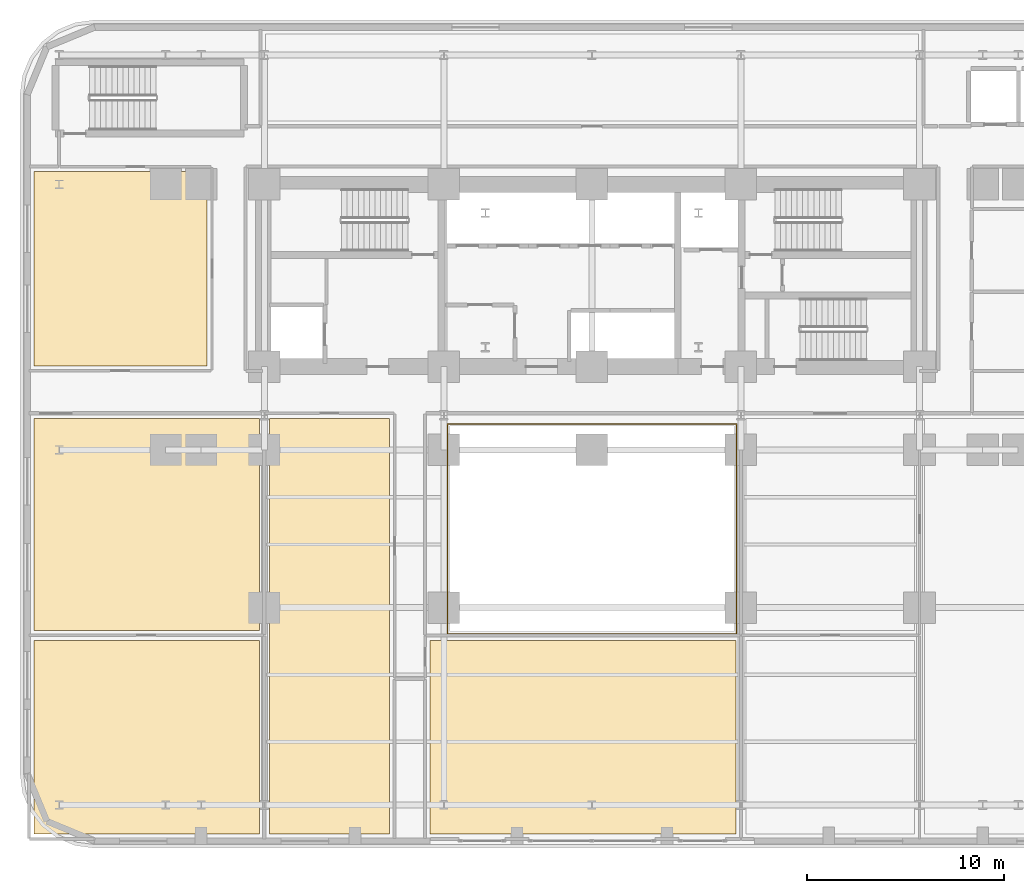
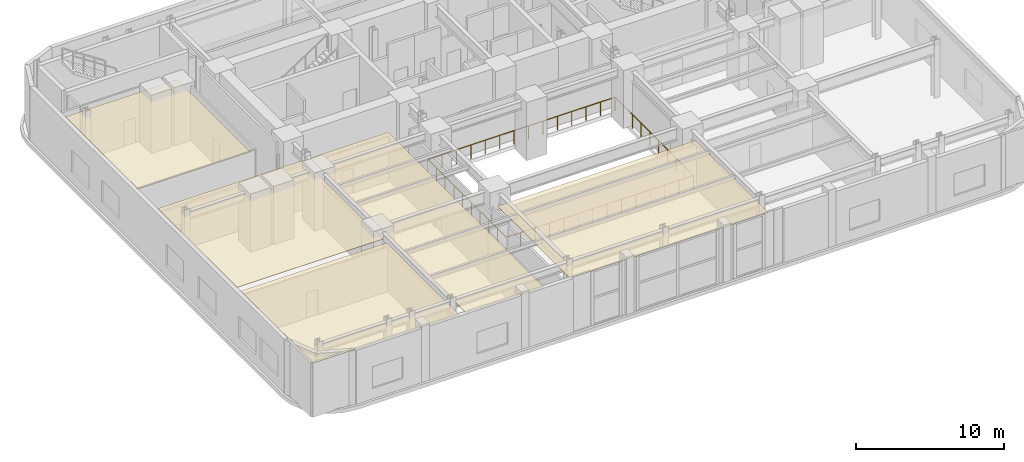
# One storey, part 10 of 16: 5 coverings, 1 railing.
"""IFC4 building model written with IfcOpenShell, lengths in metres."""

from ifc_helpers import new_model, si_unit, direction, frame, origin, origin_2d, place, context, subcontext, project, spatial, polyline, rectangle, outline, extrude, material, layer, layer_set, type_object, element, save


model = new_model("IFC4")

# Units and contexts
model_context = context("Model", 3, precision=1e-05, world=origin(), true_north=direction((0.0, 1.0)))
body_context = subcontext(model_context, "Body", "Model", "MODEL_VIEW")
ifc_project = project(units=[si_unit("LENGTHUNIT", "METRE"), si_unit("AREAUNIT", "SQUARE_METRE"), si_unit("VOLUMEUNIT", "CUBIC_METRE"), si_unit("PLANEANGLEUNIT", "RADIAN"), si_unit("MASSUNIT", "GRAM", prefix="KILO")], contexts=[model_context])

# Site, building, storey
site_placement = place(None, origin())
site = spatial("IfcSite", under=ifc_project, at=site_placement, CompositionType="ELEMENT")
building_placement = place(site_placement, origin())
building = spatial("IfcBuilding", under=site, at=building_placement, Name="Zarnavel Station Tower", CompositionType="ELEMENT")
storey_placement = place(building_placement, frame((0.0, 0.0, 19.39990234375)))
storey = spatial("IfcBuildingStorey", under=building, at=storey_placement, Name="L05", CompositionType="ELEMENT", Elevation=19.39990234375)

# Coverings
ifc_material_1 = material(Name="Perforated Gypsum and Mineral-Wool Acoustic Ceiling", Category="concrete")
ifc_layer = layer(ifc_material_1, 0.0400390625)
ifc_layer_set = layer_set([ifc_layer], Name="COV_CEIL_ACOUSTIC")
covering_type = type_object("IfcCoveringType", Name="COV_CEIL_ACOUSTIC", PredefinedType="CEILING", material=ifc_layer_set)
covering_1_placement = place(storey_placement, frame((0.0, 0.0, 4.18017578125)))
element("IfcCovering", 1, at=covering_1_placement, inside=storey, type_object=covering_type, Name="L05 PNW Acoustic Ceiling", PredefinedType="CEILING", context=body_context, shape_type="SweptSolid", body=[
    extrude(outline(polyline([(0.530029296875, 27.85009765625), (9.300048828125, 27.85009765625), (9.300048828125, 37.699951171875), (0.530029296875, 37.699951171875), (0.530029296875, 27.85009765625)])), origin(), (0.0, 0.0, 1.0), 0.0400390625),
])
covering_2_placement = place(storey_placement, frame((0.0, 0.0, 4.18017578125)))
element("IfcCovering", 2, at=covering_2_placement, inside=storey, type_object=covering_type, Name="L05 BALLV Acoustic Ceiling", PredefinedType="CEILING", context=body_context, shape_type="SweptSolid", body=[
    extrude(outline(polyline([(0.530029296875, 4.1298828125), (11.949951171875, 4.1298828125), (11.949951171875, 13.949951171875), (0.530029296875, 13.949951171875), (0.530029296875, 4.1298828125)])), origin(), (0.0, 0.0, 1.0), 0.0400390625),
])
covering_3_placement = place(storey_placement, frame((0.0, 0.0, 4.18017578125)))
element("IfcCovering", 3, at=covering_3_placement, inside=storey, type_object=covering_type, Name="L05 BALLF Acoustic Ceiling", PredefinedType="CEILING", context=body_context, shape_type="SweptSolid", body=[
    extrude(outline(polyline([(0.530029296875, 14.449951171875), (11.949951171875, 14.449951171875), (11.949951171875, 25.199951171875), (0.530029296875, 25.199951171875), (0.530029296875, 14.449951171875)])), origin(), (0.0, 0.0, 1.0), 0.0400390625),
])
covering_4_placement = place(storey_placement, frame((0.0, 0.0, 4.18017578125)))
element("IfcCovering", 4, at=covering_4_placement, inside=storey, type_object=covering_type, Name="L05 BALL Acoustic Ceiling", PredefinedType="CEILING", context=body_context, shape_type="SweptSolid", body=[
    extrude(outline(polyline([(12.449951171875, 4.1298828125), (18.550048828125, 4.1298828125), (18.550048828125, 25.199951171875), (12.449951171875, 25.199951171875), (12.449951171875, 4.1298828125)])), origin(), (0.0, 0.0, 1.0), 0.0400390625),
])
covering_5_placement = place(storey_placement, frame((0.0, 0.0, 4.18017578125)))
element("IfcCovering", 5, at=covering_5_placement, inside=storey, type_object=covering_type, Name="L05 PREF Acoustic Ceiling", PredefinedType="CEILING", context=body_context, shape_type="SweptSolid", body=[
    extrude(outline(polyline([(20.60009765625, 4.1298828125), (36.10009765625, 4.1298828125), (36.10009765625, 13.949951171875), (20.60009765625, 13.949951171875), (20.60009765625, 4.1298828125)])), origin(), (0.0, 0.0, 1.0), 0.0400390625),
])

# Railing
ifc_material_2 = material(Name="Painted Steel S355J2 Balustrade", Category="steel")
railing_type = type_object("IfcRailingType", Name="GR_INT_1150", PredefinedType="GUARDRAIL", material=ifc_material_2)
railing_placement = place(storey_placement, frame((21.47998046875, 14.280029296875, 0.0)))
element("IfcRailing", 6, at=railing_placement, inside=storey, type_object=railing_type, Name="L05 Atrium Void Guardrail", PredefinedType="GUARDRAIL", context=body_context, shape_type="SweptSolid", body=[
    extrude(rectangle(XDim=0.048095703125, YDim=0.048095703125, at=origin_2d()), frame((0.001953125, 0.0, 1.1259765625), z_axis=(1.0, 0.0, 0.0), x_axis=(0.0, 1.0, 0.0)), (0.0, 0.0, 1.0), 14.63623046875),
    extrude(rectangle(XDim=0.048095703125, YDim=0.048095703125, at=origin_2d()), frame((14.64013671875, 0.001953125, 1.1259765625), z_axis=(0.0, 1.0, 0.0), x_axis=(-1.0, 0.0, 0.0)), (0.0, 0.0, 1.0), 10.635986328125),
    extrude(rectangle(XDim=0.048095703125, YDim=0.048095703125, at=origin_2d()), frame((14.63818359375, 10.639892578125, 1.1259765625), z_axis=(-1.0, 0.0, 0.0), x_axis=(0.0, -1.0, 0.0)), (0.0, 0.0, 1.0), 14.63623046875),
    extrude(rectangle(XDim=0.048095703125, YDim=0.048095703125, at=origin_2d()), frame((0.0, 10.637939453125, 1.1259765625), z_axis=(0.0, -1.0, 0.0), x_axis=(1.0, 0.0, 0.0)), (0.0, 0.0, 1.0), 10.635986328125),
    extrude(rectangle(XDim=0.0419921875, YDim=0.0419921875, at=origin_2d()), origin(), (0.0, 0.0, 1.0), 1.101806640625),
    extrude(rectangle(XDim=0.0419921875, YDim=0.0419921875, at=origin_2d()), frame((1.126220703125, 0.0, 0.0)), (0.0, 0.0, 1.0), 1.101806640625),
    extrude(rectangle(XDim=0.0419921875, YDim=0.0419921875, at=origin_2d()), frame((2.25244140625, 0.0, 0.0)), (0.0, 0.0, 1.0), 1.101806640625),
    extrude(rectangle(XDim=0.0419921875, YDim=0.0419921875, at=origin_2d()), frame((3.37841796875, 0.0, 0.0)), (0.0, 0.0, 1.0), 1.101806640625),
    extrude(rectangle(XDim=0.0419921875, YDim=0.0419921875, at=origin_2d()), frame((4.504638671875, 0.0, 0.0)), (0.0, 0.0, 1.0), 1.101806640625),
    extrude(rectangle(XDim=0.0419921875, YDim=0.0419921875, at=origin_2d()), frame((5.630859375, 0.0, 0.0)), (0.0, 0.0, 1.0), 1.101806640625),
    extrude(rectangle(XDim=0.0419921875, YDim=0.0419921875, at=origin_2d()), frame((6.757080078125, 0.0, 0.0)), (0.0, 0.0, 1.0), 1.101806640625),
    extrude(rectangle(XDim=0.0419921875, YDim=0.0419921875, at=origin_2d()), frame((7.883056640625, 0.0, 0.0)), (0.0, 0.0, 1.0), 1.101806640625),
    extrude(rectangle(XDim=0.0419921875, YDim=0.0419921875, at=origin_2d()), frame((9.00927734375, 0.0, 0.0)), (0.0, 0.0, 1.0), 1.101806640625),
    extrude(rectangle(XDim=0.0419921875, YDim=0.0419921875, at=origin_2d()), frame((10.135498046875, 0.0, 0.0)), (0.0, 0.0, 1.0), 1.101806640625),
    extrude(rectangle(XDim=0.0419921875, YDim=0.0419921875, at=origin_2d()), frame((11.26171875, 0.0, 0.0)), (0.0, 0.0, 1.0), 1.101806640625),
    extrude(rectangle(XDim=0.0419921875, YDim=0.0419921875, at=origin_2d()), frame((12.3876953125, 0.0, 0.0)), (0.0, 0.0, 1.0), 1.101806640625),
    extrude(rectangle(XDim=0.0419921875, YDim=0.0419921875, at=origin_2d()), frame((13.513916015625, 0.0, 0.0)), (0.0, 0.0, 1.0), 1.101806640625),
    extrude(rectangle(XDim=0.0419921875, YDim=0.0419921875, at=origin_2d()), frame((14.64013671875, 0.0, 0.0)), (0.0, 0.0, 1.0), 1.101806640625),
    extrude(rectangle(XDim=0.0419921875, YDim=0.0419921875, at=origin_2d()), frame((14.64013671875, 1.18212890625, 0.0)), (0.0, 0.0, 1.0), 1.101806640625),
    extrude(rectangle(XDim=0.0419921875, YDim=0.0419921875, at=origin_2d()), frame((14.64013671875, 2.364501953125, 0.0)), (0.0, 0.0, 1.0), 1.101806640625),
    extrude(rectangle(XDim=0.0419921875, YDim=0.0419921875, at=origin_2d()), frame((14.64013671875, 3.546630859375, 0.0)), (0.0, 0.0, 1.0), 1.101806640625),
    extrude(rectangle(XDim=0.0419921875, YDim=0.0419921875, at=origin_2d()), frame((14.64013671875, 4.728759765625, 0.0)), (0.0, 0.0, 1.0), 1.101806640625),
    extrude(rectangle(XDim=0.0419921875, YDim=0.0419921875, at=origin_2d()), frame((14.64013671875, 5.9111328125, 0.0)), (0.0, 0.0, 1.0), 1.101806640625),
    extrude(rectangle(XDim=0.0419921875, YDim=0.0419921875, at=origin_2d()), frame((14.64013671875, 7.09326171875, 0.0)), (0.0, 0.0, 1.0), 1.101806640625),
    extrude(rectangle(XDim=0.0419921875, YDim=0.0419921875, at=origin_2d()), frame((14.64013671875, 8.275390625, 0.0)), (0.0, 0.0, 1.0), 1.101806640625),
    extrude(rectangle(XDim=0.0419921875, YDim=0.0419921875, at=origin_2d()), frame((14.64013671875, 9.457763671875, 0.0)), (0.0, 0.0, 1.0), 1.101806640625),
    extrude(rectangle(XDim=0.0419921875, YDim=0.0419921875, at=origin_2d()), frame((14.64013671875, 10.639892578125, 0.0)), (0.0, 0.0, 1.0), 1.101806640625),
    extrude(rectangle(XDim=0.0419921875, YDim=0.0419921875, at=origin_2d()), frame((13.513916015625, 10.639892578125, 0.0)), (0.0, 0.0, 1.0), 1.101806640625),
    extrude(rectangle(XDim=0.0419921875, YDim=0.0419921875, at=origin_2d()), frame((12.3876953125, 10.639892578125, 0.0)), (0.0, 0.0, 1.0), 1.101806640625),
    extrude(rectangle(XDim=0.0419921875, YDim=0.0419921875, at=origin_2d()), frame((11.26171875, 10.639892578125, 0.0)), (0.0, 0.0, 1.0), 1.101806640625),
    extrude(rectangle(XDim=0.0419921875, YDim=0.0419921875, at=origin_2d()), frame((10.135498046875, 10.639892578125, 0.0)), (0.0, 0.0, 1.0), 1.101806640625),
    extrude(rectangle(XDim=0.0419921875, YDim=0.0419921875, at=origin_2d()), frame((9.00927734375, 10.639892578125, 0.0)), (0.0, 0.0, 1.0), 1.101806640625),
    extrude(rectangle(XDim=0.0419921875, YDim=0.0419921875, at=origin_2d()), frame((7.883056640625, 10.639892578125, 0.0)), (0.0, 0.0, 1.0), 1.101806640625),
    extrude(rectangle(XDim=0.0419921875, YDim=0.0419921875, at=origin_2d()), frame((6.757080078125, 10.639892578125, 0.0)), (0.0, 0.0, 1.0), 1.101806640625),
    extrude(rectangle(XDim=0.0419921875, YDim=0.0419921875, at=origin_2d()), frame((5.630859375, 10.639892578125, 0.0)), (0.0, 0.0, 1.0), 1.101806640625),
    extrude(rectangle(XDim=0.0419921875, YDim=0.0419921875, at=origin_2d()), frame((4.504638671875, 10.639892578125, 0.0)), (0.0, 0.0, 1.0), 1.101806640625),
    extrude(rectangle(XDim=0.0419921875, YDim=0.0419921875, at=origin_2d()), frame((3.37841796875, 10.639892578125, 0.0)), (0.0, 0.0, 1.0), 1.101806640625),
    extrude(rectangle(XDim=0.0419921875, YDim=0.0419921875, at=origin_2d()), frame((2.25244140625, 10.639892578125, 0.0)), (0.0, 0.0, 1.0), 1.101806640625),
    extrude(rectangle(XDim=0.0419921875, YDim=0.0419921875, at=origin_2d()), frame((1.126220703125, 10.639892578125, 0.0)), (0.0, 0.0, 1.0), 1.101806640625),
    extrude(rectangle(XDim=0.0419921875, YDim=0.0419921875, at=origin_2d()), frame((0.0, 10.639892578125, 0.0)), (0.0, 0.0, 1.0), 1.101806640625),
    extrude(rectangle(XDim=0.0419921875, YDim=0.0419921875, at=origin_2d()), frame((0.0, 9.457763671875, 0.0)), (0.0, 0.0, 1.0), 1.101806640625),
    extrude(rectangle(XDim=0.0419921875, YDim=0.0419921875, at=origin_2d()), frame((0.0, 8.275390625, 0.0)), (0.0, 0.0, 1.0), 1.101806640625),
    extrude(rectangle(XDim=0.0419921875, YDim=0.0419921875, at=origin_2d()), frame((0.0, 7.09326171875, 0.0)), (0.0, 0.0, 1.0), 1.101806640625),
    extrude(rectangle(XDim=0.0419921875, YDim=0.0419921875, at=origin_2d()), frame((0.0, 5.9111328125, 0.0)), (0.0, 0.0, 1.0), 1.101806640625),
    extrude(rectangle(XDim=0.0419921875, YDim=0.0419921875, at=origin_2d()), frame((0.0, 4.728759765625, 0.0)), (0.0, 0.0, 1.0), 1.101806640625),
    extrude(rectangle(XDim=0.0419921875, YDim=0.0419921875, at=origin_2d()), frame((0.0, 3.546630859375, 0.0)), (0.0, 0.0, 1.0), 1.101806640625),
    extrude(rectangle(XDim=0.0419921875, YDim=0.0419921875, at=origin_2d()), frame((0.0, 2.364501953125, 0.0)), (0.0, 0.0, 1.0), 1.101806640625),
    extrude(rectangle(XDim=0.0419921875, YDim=0.0419921875, at=origin_2d()), frame((0.0, 1.18212890625, 0.0)), (0.0, 0.0, 1.0), 1.101806640625),
])

save(model, "model.ifc")
